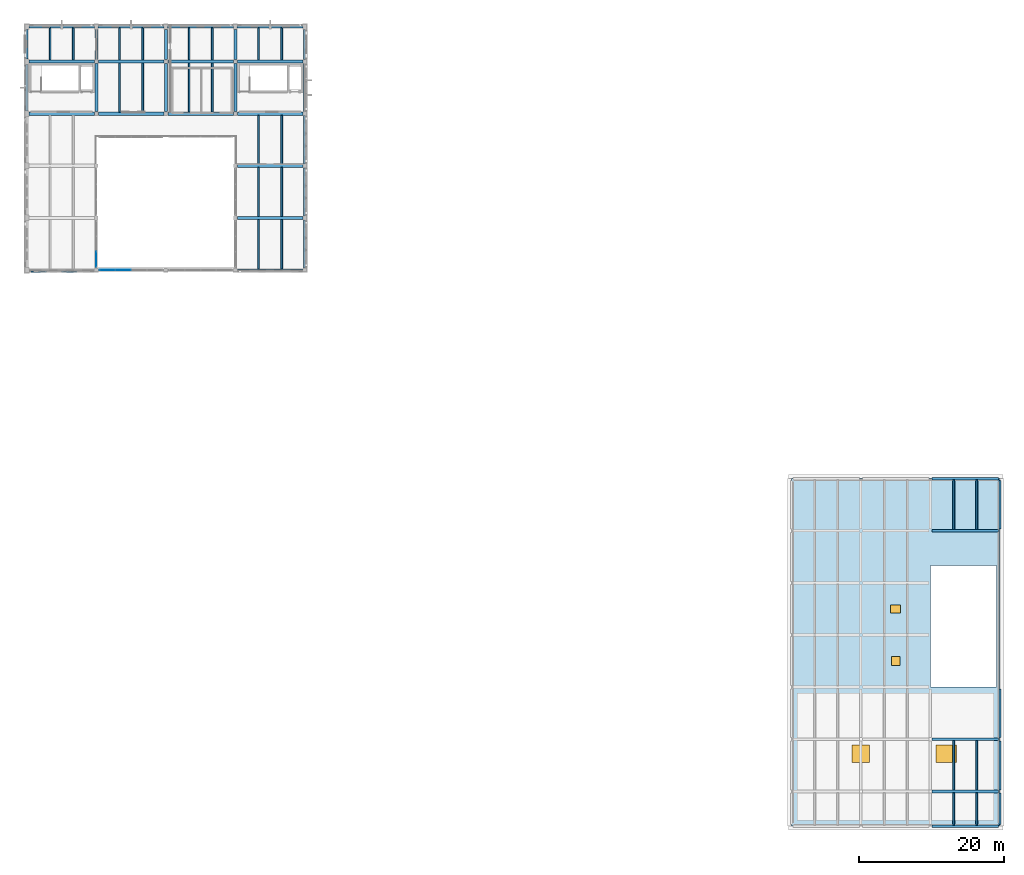
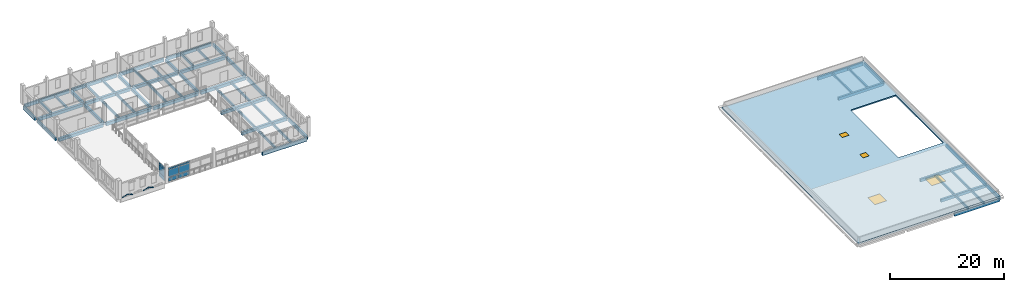
# One storey, part 12 of 24: 61 beams, 13 plates, 2 doors, 2 windows, 1 slab, 4 openings, 2 elements without a shape of their own.
"""IFC4 building model written with IfcOpenShell, lengths in metres."""

from ifc_helpers import new_model, si_unit, direction, frame, origin, origin_2d, place, context, subcontext, project, spatial, polyline, rectangle, hollow_rectangle, outline, extrude, material, layer, layer_set, material_profile, profile_set, type_object, element, fill, aggregate, save


model = new_model("IFC4")

# Units and contexts
model_context = context("Model", 3, precision=1e-05, world=origin(), true_north=direction((0.0, 1.0)))
body_context = subcontext(model_context, "Body", "Model", "MODEL_VIEW")
ifc_project = project(units=[si_unit("LENGTHUNIT", "METRE"), si_unit("AREAUNIT", "SQUARE_METRE"), si_unit("VOLUMEUNIT", "CUBIC_METRE"), si_unit("PLANEANGLEUNIT", "RADIAN"), si_unit("MASSUNIT", "GRAM", prefix="KILO")], contexts=[model_context])

# Site, building, storey
site_placement = place(None, origin())
site = spatial("IfcSite", under=ifc_project, at=site_placement, CompositionType="ELEMENT")
building_placement = place(site_placement, origin())
building = spatial("IfcBuilding", under=site, at=building_placement, Name="Asteropetra Specialist Clinic", CompositionType="ELEMENT")
storey_placement = place(building_placement, frame((0.0, 0.0, 20.739990234375)))
storey = spatial("IfcBuildingStorey", under=building, at=storey_placement, Name="L05", CompositionType="ELEMENT", Elevation=20.739990234375)

# Beams
ifc_material_1 = material(Name="Concrete C35/45", Category="concrete")
ifc_material_profile_1 = material_profile(ifc_material_1, rectangle(XDim=0.39990234375, YDim=0.60009765625, at=origin_2d()), Name="RCB 400x600")
ifc_profile_set_1 = profile_set([ifc_material_profile_1], Name="Concrete C35/45")
beam_type_1 = type_object("IfcBeamType", Name="BM-RC400x600", PredefinedType="BEAM", material=ifc_profile_set_1)
for number, where, z_axis, x_axis, name in (
    (1, (9.60009765625, 98.675048828125, -0.580078125), (0.0, 1.0, 0.0), (-1.0, 0.0, 0.0), "Beam BBM08-2020"),
    (2, (19.199951171875, 98.675048828125, -0.580078125), (0.0, 1.0, 0.0), (-1.0, 0.0, 0.0), "Beam BBM08-2021"),
    (3, (28.800048828125, 98.675048828125, -0.580078125), (0.0, 1.0, 0.0), (-1.0, 0.0, 0.0), "Beam BBM08-2022"),
):
    element("IfcBeam", number, at=place(storey_placement, frame(where, z_axis=z_axis, x_axis=x_axis)), inside=storey, type_object=beam_type_1, Name=name, PredefinedType="BEAM", context=body_context, shape_type="SweptSolid", body=[
        extrude(rectangle(XDim=0.39990234375, YDim=0.60009765625, at=origin_2d()), origin(), (0.0, 0.0, 1.0), 6.64990234375),
    ])
for number, where, z_axis, x_axis, name in (
    (4, (9.60009765625, 105.875, -0.580078125), (0.0, 1.0, 0.0), (-1.0, 0.0, 0.0), "Beam BBM08-2029"),
    (5, (19.199951171875, 105.875, -0.580078125), (0.0, 1.0, 0.0), (-1.0, 0.0, 0.0), "Beam BBM08-2030"),
    (6, (28.800048828125, 105.875, -0.580078125), (0.0, 1.0, 0.0), (-1.0, 0.0, 0.0), "Beam BBM08-2031"),
):
    element("IfcBeam", number, at=place(storey_placement, frame(where, z_axis=z_axis, x_axis=x_axis)), inside=storey, type_object=beam_type_1, Name=name, PredefinedType="BEAM", context=body_context, shape_type="SweptSolid", body=[
        extrude(rectangle(XDim=0.39990234375, YDim=0.60009765625, at=origin_2d()), origin(), (0.0, 0.0, 1.0), 4.175048828125),
    ])
for number, where, z_axis, x_axis, name in (
    (7, (125.02490234375, 4.800048828125, -0.570068359375), (1.0, 0.0, 0.0), (0.0, 1.0, 0.0), "Beam BBM08-2046"),
    (8, (125.02490234375, 12.0, -0.570068359375), (1.0, 0.0, 0.0), (0.0, 1.0, 0.0), "Beam BBM08-2049"),
    (9, (125.02490234375, 40.800048828125, -0.570068359375), (1.0, 0.0, 0.0), (0.0, 1.0, 0.0), "Beam BBM08-2058"),
):
    element("IfcBeam", number, at=place(storey_placement, frame(where, z_axis=z_axis, x_axis=x_axis)), inside=storey, type_object=beam_type_1, Name=name, PredefinedType="BEAM", context=body_context, shape_type="SweptSolid", body=[
        extrude(rectangle(XDim=0.39990234375, YDim=0.60009765625, at=origin_2d()), origin(), (0.0, 0.0, 1.0), 9.150146484375),
    ])
ifc_material_2 = material(Name="Concrete C35/45", Category="concrete")
ifc_material_profile_2 = material_profile(ifc_material_2, rectangle(XDim=0.449951171875, YDim=0.64990234375, at=origin_2d()), Name="RCB 450x650")
ifc_profile_set_2 = profile_set([ifc_material_profile_2], Name="Concrete C35/45")
beam_type_2 = type_object("IfcBeamType", Name="BM-RC450x650", PredefinedType="BEAM", material=ifc_profile_set_2)
for number, where, z_axis, x_axis, name in (
    (10, (29.074951171875, 84.0, -0.60498046875), (1.0, 0.0, 0.0), (0.0, 1.0, 0.0), "Beam BBM06-1986"),
    (11, (29.074951171875, 91.199951171875, -0.60498046875), (1.0, 0.0, 0.0), (0.0, 1.0, 0.0), "Beam BBM06-1988"),
    (12, (0.27490234375, 98.39990234375, -0.60498046875), (1.0, 0.0, 0.0), (0.0, 1.0, 0.0), "Beam BBM06-1989"),
    (13, (9.875, 98.39990234375, -0.60498046875), (1.0, 0.0, 0.0), (0.0, 1.0, 0.0), "Beam BBM06-1990"),
):
    element("IfcBeam", number, at=place(storey_placement, frame(where, z_axis=z_axis, x_axis=x_axis)), inside=storey, type_object=beam_type_2, Name=name, PredefinedType="BEAM", context=body_context, shape_type="SweptSolid", body=[
        extrude(rectangle(XDim=0.449951171875, YDim=0.64990234375, at=origin_2d()), origin(), (0.0, 0.0, 1.0), 9.050048828125),
    ])
beam_1_placement = place(storey_placement, frame((19.47509765625, 98.39990234375, -0.60498046875), z_axis=(1.0, 0.0, 0.0), x_axis=(0.0, 1.0, 0.0)))
element("IfcBeam", 14, at=beam_1_placement, inside=storey, type_object=beam_type_2, Name="Beam BBM06-1991", PredefinedType="BEAM", context=body_context, shape_type="SweptSolid", body=[
    extrude(rectangle(XDim=0.449951171875, YDim=0.64990234375, at=origin_2d()), origin(), (0.0, 0.0, 1.0), 9.0498046875),
])
for number, where, z_axis, x_axis, name in (
    (15, (29.074951171875, 98.39990234375, -0.60498046875), (1.0, 0.0, 0.0), (0.0, 1.0, 0.0), "Beam BBM06-1992"),
    (16, (0.27490234375, 105.60009765625, -0.60498046875), (1.0, 0.0, 0.0), (0.0, 1.0, 0.0), "Beam BBM06-1993"),
    (17, (9.875, 105.60009765625, -0.60498046875), (1.0, 0.0, 0.0), (0.0, 1.0, 0.0), "Beam BBM06-1994"),
):
    element("IfcBeam", number, at=place(storey_placement, frame(where, z_axis=z_axis, x_axis=x_axis)), inside=storey, type_object=beam_type_2, Name=name, PredefinedType="BEAM", context=body_context, shape_type="SweptSolid", body=[
        extrude(rectangle(XDim=0.449951171875, YDim=0.64990234375, at=origin_2d()), origin(), (0.0, 0.0, 1.0), 9.050048828125),
    ])
beam_2_placement = place(storey_placement, frame((19.47509765625, 105.60009765625, -0.60498046875), z_axis=(1.0, 0.0, 0.0), x_axis=(0.0, 1.0, 0.0)))
element("IfcBeam", 18, at=beam_2_placement, inside=storey, type_object=beam_type_2, Name="Beam BBM06-1995", PredefinedType="BEAM", context=body_context, shape_type="SweptSolid", body=[
    extrude(rectangle(XDim=0.449951171875, YDim=0.64990234375, at=origin_2d()), origin(), (0.0, 0.0, 1.0), 9.0498046875),
])
beam_3_placement = place(storey_placement, frame((29.074951171875, 105.60009765625, -0.60498046875), z_axis=(1.0, 0.0, 0.0), x_axis=(0.0, 1.0, 0.0)))
element("IfcBeam", 19, at=beam_3_placement, inside=storey, type_object=beam_type_2, Name="Beam BBM06-1996", PredefinedType="BEAM", context=body_context, shape_type="SweptSolid", body=[
    extrude(rectangle(XDim=0.449951171875, YDim=0.64990234375, at=origin_2d()), origin(), (0.0, 0.0, 1.0), 9.050048828125),
])
ifc_material_3 = material(Name="Concrete C35/45", Category="concrete")
ifc_material_profile_3 = material_profile(ifc_material_3, rectangle(XDim=0.260009765625, YDim=0.47998046875, at=origin_2d()), Name="RCJ 260x480")
ifc_profile_set_3 = profile_set([ifc_material_profile_3], Name="Concrete C35/45")
beam_type_3 = type_object("IfcBeamType", Name="JST-RC260x480", PredefinedType="JOIST", material=ifc_profile_set_3)
for number, where, z_axis, x_axis, name in (
    (20, (32.0, 76.9599609375, -0.52001953125), (0.0, 1.0, 0.0), (-1.0, 0.0, 0.0), "Joist JJST02-2005"),
    (21, (35.199951171875, 76.9599609375, -0.52001953125), (0.0, 1.0, 0.0), (-1.0, 0.0, 0.0), "Joist JJST02-2006"),
):
    element("IfcBeam", number, at=place(storey_placement, frame(where, z_axis=z_axis, x_axis=x_axis)), inside=storey, type_object=beam_type_3, Name=name, PredefinedType="JOIST", context=body_context, shape_type="SweptSolid", body=[
        extrude(rectangle(XDim=0.260009765625, YDim=0.47998046875, at=origin_2d()), origin(), (0.0, 0.0, 1.0), 6.81494140625),
    ])
for number, where, z_axis, x_axis, name in (
    (22, (32.0, 84.22509765625, -0.52001953125), (0.0, 1.0, 0.0), (-1.0, 0.0, 0.0), "Joist JJST02-2011"),
    (23, (35.199951171875, 84.22509765625, -0.52001953125), (0.0, 1.0, 0.0), (-1.0, 0.0, 0.0), "Joist JJST02-2012"),
    (24, (32.0, 91.425048828125, -0.52001953125), (0.0, 1.0, 0.0), (-1.0, 0.0, 0.0), "Joist JJST02-2017"),
    (25, (35.199951171875, 91.425048828125, -0.52001953125), (0.0, 1.0, 0.0), (-1.0, 0.0, 0.0), "Joist JJST02-2018"),
    (26, (12.800048828125, 98.625, -0.52001953125), (0.0, 1.0, 0.0), (-1.0, 0.0, 0.0), "Joist JJST02-2024"),
    (27, (16.0, 98.625, -0.52001953125), (0.0, 1.0, 0.0), (-1.0, 0.0, 0.0), "Joist JJST02-2025"),
    (28, (22.39990234375, 98.625, -0.52001953125), (0.0, 1.0, 0.0), (-1.0, 0.0, 0.0), "Joist JJST02-2026"),
    (29, (25.60009765625, 98.625, -0.52001953125), (0.0, 1.0, 0.0), (-1.0, 0.0, 0.0), "Joist JJST02-2027"),
):
    element("IfcBeam", number, at=place(storey_placement, frame(where, z_axis=z_axis, x_axis=x_axis)), inside=storey, type_object=beam_type_3, Name=name, PredefinedType="JOIST", context=body_context, shape_type="SweptSolid", body=[
        extrude(rectangle(XDim=0.260009765625, YDim=0.47998046875, at=origin_2d()), origin(), (0.0, 0.0, 1.0), 6.75),
    ])
for number, where, z_axis, x_axis, name in (
    (30, (3.199951171875, 105.824951171875, -0.52001953125), (0.0, 1.0, 0.0), (-1.0, 0.0, 0.0), "Joist JJST02-2033"),
    (31, (6.39990234375, 105.824951171875, -0.52001953125), (0.0, 1.0, 0.0), (-1.0, 0.0, 0.0), "Joist JJST02-2034"),
    (32, (12.800048828125, 105.824951171875, -0.52001953125), (0.0, 1.0, 0.0), (-1.0, 0.0, 0.0), "Joist JJST02-2035"),
    (33, (16.0, 105.824951171875, -0.52001953125), (0.0, 1.0, 0.0), (-1.0, 0.0, 0.0), "Joist JJST02-2036"),
    (34, (22.39990234375, 105.824951171875, -0.52001953125), (0.0, 1.0, 0.0), (-1.0, 0.0, 0.0), "Joist JJST02-2037"),
    (35, (25.60009765625, 105.824951171875, -0.52001953125), (0.0, 1.0, 0.0), (-1.0, 0.0, 0.0), "Joist JJST02-2038"),
    (36, (32.0, 105.824951171875, -0.52001953125), (0.0, 1.0, 0.0), (-1.0, 0.0, 0.0), "Joist JJST02-2039"),
    (37, (35.199951171875, 105.824951171875, -0.52001953125), (0.0, 1.0, 0.0), (-1.0, 0.0, 0.0), "Joist JJST02-2040"),
):
    element("IfcBeam", number, at=place(storey_placement, frame(where, z_axis=z_axis, x_axis=x_axis)), inside=storey, type_object=beam_type_3, Name=name, PredefinedType="JOIST", context=body_context, shape_type="SweptSolid", body=[
        extrude(rectangle(XDim=0.260009765625, YDim=0.47998046875, at=origin_2d()), origin(), (0.0, 0.0, 1.0), 4.4150390625),
    ])
for number, where, z_axis, x_axis, name in (
    (38, (128.0, 0.159912109375, -0.510009765625), (0.0, 1.0, 0.0), (-1.0, 0.0, 0.0), "Joist JJST02-2070"),
    (39, (131.199951171875, 0.159912109375, -0.510009765625), (0.0, 1.0, 0.0), (-1.0, 0.0, 0.0), "Joist JJST02-2071"),
):
    element("IfcBeam", number, at=place(storey_placement, frame(where, z_axis=z_axis, x_axis=x_axis)), inside=storey, type_object=beam_type_3, Name=name, PredefinedType="JOIST", context=body_context, shape_type="SweptSolid", body=[
        extrude(rectangle(XDim=0.260009765625, YDim=0.47998046875, at=origin_2d()), origin(), (0.0, 0.0, 1.0), 4.440185546875),
    ])
for number, where, z_axis, x_axis, name in (
    (40, (128.0, 5.0, -0.510009765625), (0.0, 1.0, 0.0), (-1.0, 0.0, 0.0), "Joist JJST02-2080"),
    (41, (131.199951171875, 5.0, -0.510009765625), (0.0, 1.0, 0.0), (-1.0, 0.0, 0.0), "Joist JJST02-2081"),
):
    element("IfcBeam", number, at=place(storey_placement, frame(where, z_axis=z_axis, x_axis=x_axis)), inside=storey, type_object=beam_type_3, Name=name, PredefinedType="JOIST", context=body_context, shape_type="SweptSolid", body=[
        extrude(rectangle(XDim=0.260009765625, YDim=0.47998046875, at=origin_2d()), origin(), (0.0, 0.0, 1.0), 6.800048828125),
    ])
for number, where, z_axis, x_axis, name in (
    (42, (128.0, 41.0, -0.510009765625), (0.0, 1.0, 0.0), (-1.0, 0.0, 0.0), "Joist JJST02-2116"),
    (43, (131.199951171875, 41.0, -0.510009765625), (0.0, 1.0, 0.0), (-1.0, 0.0, 0.0), "Joist JJST02-2117"),
):
    element("IfcBeam", number, at=place(storey_placement, frame(where, z_axis=z_axis, x_axis=x_axis)), inside=storey, type_object=beam_type_3, Name=name, PredefinedType="JOIST", context=body_context, shape_type="SweptSolid", body=[
        extrude(rectangle(XDim=0.260009765625, YDim=0.47998046875, at=origin_2d()), origin(), (0.0, 0.0, 1.0), 6.840087890625),
    ])
ifc_material_4 = material(Name="Concrete C35/45", Category="concrete")
ifc_material_profile_4 = material_profile(ifc_material_4, rectangle(XDim=0.320068359375, YDim=0.699951171875, at=origin_2d()), Name="RCS 320x700")
ifc_profile_set_4 = profile_set([ifc_material_profile_4], Name="Concrete C35/45")
beam_type_4 = type_object("IfcBeamType", Name="SPN-RC320x700", PredefinedType="SPANDREL", material=ifc_profile_set_4)
beam_4_placement = place(storey_placement, frame((29.074951171875, 76.800048828125, -0.6298828125), z_axis=(1.0, 0.0, 0.0), x_axis=(0.0, 1.0, 0.0)))
element("IfcBeam", 44, at=beam_4_placement, inside=storey, type_object=beam_type_4, Name="Beam BSPN02-1984", PredefinedType="SPANDREL", context=body_context, shape_type="SweptSolid", body=[
    extrude(rectangle(XDim=0.320068359375, YDim=0.699951171875, at=origin_2d()), origin(), (0.0, 0.0, 1.0), 9.050048828125),
])
beam_5_placement = place(storey_placement, frame((0.27490234375, 110.39990234375, -0.6298828125), z_axis=(1.0, 0.0, 0.0), x_axis=(0.0, 1.0, 0.0)))
element("IfcBeam", 45, at=beam_5_placement, inside=storey, type_object=beam_type_4, Name="Beam BSPN02-1997", PredefinedType="SPANDREL", context=body_context, shape_type="SweptSolid", body=[
    extrude(rectangle(XDim=0.320068359375, YDim=0.699951171875, at=origin_2d()), origin(), (0.0, 0.0, 1.0), 9.0751953125),
])
beam_6_placement = place(storey_placement, frame((9.85009765625, 110.39990234375, -0.6298828125), z_axis=(1.0, 0.0, 0.0), x_axis=(0.0, 1.0, 0.0)))
element("IfcBeam", 46, at=beam_6_placement, inside=storey, type_object=beam_type_4, Name="Beam BSPN02-1998", PredefinedType="SPANDREL", context=body_context, shape_type="SweptSolid", body=[
    extrude(rectangle(XDim=0.320068359375, YDim=0.699951171875, at=origin_2d()), origin(), (0.0, 0.0, 1.0), 9.099853515625),
])
beam_7_placement = place(storey_placement, frame((19.449951171875, 110.39990234375, -0.6298828125), z_axis=(1.0, 0.0, 0.0), x_axis=(0.0, 1.0, 0.0)))
element("IfcBeam", 47, at=beam_7_placement, inside=storey, type_object=beam_type_4, Name="Beam BSPN02-1999", PredefinedType="SPANDREL", context=body_context, shape_type="SweptSolid", body=[
    extrude(rectangle(XDim=0.320068359375, YDim=0.699951171875, at=origin_2d()), origin(), (0.0, 0.0, 1.0), 9.10009765625),
])
beam_8_placement = place(storey_placement, frame((29.050048828125, 110.39990234375, -0.6298828125), z_axis=(1.0, 0.0, 0.0), x_axis=(0.0, 1.0, 0.0)))
element("IfcBeam", 48, at=beam_8_placement, inside=storey, type_object=beam_type_4, Name="Beam BSPN02-2000", PredefinedType="SPANDREL", context=body_context, shape_type="SweptSolid", body=[
    extrude(rectangle(XDim=0.320068359375, YDim=0.699951171875, at=origin_2d()), origin(), (0.0, 0.0, 1.0), 9.099853515625),
])
for number, where, z_axis, x_axis, name in (
    (49, (38.39990234375, 77.074951171875, -0.6298828125), (0.0, 1.0, 0.0), (-1.0, 0.0, 0.0), "Beam BSPN02-2002"),
    (50, (38.39990234375, 84.27490234375, -0.6298828125), (0.0, 1.0, 0.0), (-1.0, 0.0, 0.0), "Beam BSPN02-2008"),
):
    element("IfcBeam", number, at=place(storey_placement, frame(where, z_axis=z_axis, x_axis=x_axis)), inside=storey, type_object=beam_type_4, Name=name, PredefinedType="SPANDREL", context=body_context, shape_type="SweptSolid", body=[
        extrude(rectangle(XDim=0.320068359375, YDim=0.699951171875, at=origin_2d()), origin(), (0.0, 0.0, 1.0), 6.650146484375),
    ])
beam_9_placement = place(storey_placement, frame((38.39990234375, 91.47509765625, -0.6298828125), z_axis=(0.0, 1.0, 0.0), x_axis=(-1.0, 0.0, 0.0)))
element("IfcBeam", 51, at=beam_9_placement, inside=storey, type_object=beam_type_4, Name="Beam BSPN02-2014", PredefinedType="SPANDREL", context=body_context, shape_type="SweptSolid", body=[
    extrude(rectangle(XDim=0.320068359375, YDim=0.699951171875, at=origin_2d()), origin(), (0.0, 0.0, 1.0), 6.64990234375),
])
beam_10_placement = place(storey_placement, frame((0.0, 98.77490234375, -0.6298828125), z_axis=(0.0, 1.0, 0.0), x_axis=(-1.0, 0.0, 0.0)))
element("IfcBeam", 52, at=beam_10_placement, inside=storey, type_object=beam_type_4, Name="Beam BSPN02-2019", PredefinedType="SPANDREL", context=body_context, shape_type="SweptSolid", body=[
    extrude(rectangle(XDim=0.320068359375, YDim=0.699951171875, at=origin_2d()), origin(), (0.0, 0.0, 1.0), 6.4501953125),
])
beam_11_placement = place(storey_placement, frame((38.39990234375, 98.675048828125, -0.6298828125), z_axis=(0.0, 1.0, 0.0), x_axis=(-1.0, 0.0, 0.0)))
element("IfcBeam", 53, at=beam_11_placement, inside=storey, type_object=beam_type_4, Name="Beam BSPN02-2023", PredefinedType="SPANDREL", context=body_context, shape_type="SweptSolid", body=[
    extrude(rectangle(XDim=0.320068359375, YDim=0.699951171875, at=origin_2d()), origin(), (0.0, 0.0, 1.0), 6.64990234375),
])
beam_12_placement = place(storey_placement, frame((0.0, 105.97509765625, -0.6298828125), z_axis=(0.0, 1.0, 0.0), x_axis=(-1.0, 0.0, 0.0)))
element("IfcBeam", 54, at=beam_12_placement, inside=storey, type_object=beam_type_4, Name="Beam BSPN02-2028", PredefinedType="SPANDREL", context=body_context, shape_type="SweptSolid", body=[
    extrude(rectangle(XDim=0.320068359375, YDim=0.699951171875, at=origin_2d()), origin(), (0.0, 0.0, 1.0), 4.0498046875),
])
beam_13_placement = place(storey_placement, frame((38.39990234375, 105.875, -0.6298828125), z_axis=(0.0, 1.0, 0.0), x_axis=(-1.0, 0.0, 0.0)))
element("IfcBeam", 55, at=beam_13_placement, inside=storey, type_object=beam_type_4, Name="Beam BSPN02-2032", PredefinedType="SPANDREL", context=body_context, shape_type="SweptSolid", body=[
    extrude(rectangle(XDim=0.320068359375, YDim=0.699951171875, at=origin_2d()), origin(), (0.0, 0.0, 1.0), 4.175048828125),
])
for number, where, z_axis, x_axis, name in (
    (56, (125.02490234375, 0.0, -0.619873046875), (1.0, 0.0, 0.0), (0.0, 1.0, 0.0), "Beam BSPN02-2043"),
    (57, (125.02490234375, 48.0, -0.619873046875), (1.0, 0.0, 0.0), (0.0, 1.0, 0.0), "Beam BSPN02-2061"),
):
    element("IfcBeam", number, at=place(storey_placement, frame(where, z_axis=z_axis, x_axis=x_axis)), inside=storey, type_object=beam_type_4, Name=name, PredefinedType="SPANDREL", context=body_context, shape_type="SweptSolid", body=[
        extrude(rectangle(XDim=0.320068359375, YDim=0.699951171875, at=origin_2d()), origin(), (0.0, 0.0, 1.0), 9.150146484375),
    ])
beam_14_placement = place(storey_placement, frame((134.39990234375, 0.22509765625, -0.619873046875), z_axis=(0.0, 1.0, 0.0), x_axis=(-1.0, 0.0, 0.0)))
element("IfcBeam", 58, at=beam_14_placement, inside=storey, type_object=beam_type_4, Name="Beam BSPN02-2065", PredefinedType="SPANDREL", context=body_context, shape_type="SweptSolid", body=[
    extrude(rectangle(XDim=0.320068359375, YDim=0.699951171875, at=origin_2d()), origin(), (0.0, 0.0, 1.0), 4.349853515625),
])
for number, where, z_axis, x_axis, name in (
    (59, (134.39990234375, 5.02490234375, -0.619873046875), (0.0, 1.0, 0.0), (-1.0, 0.0, 0.0), "Beam BSPN02-2075"),
    (60, (134.39990234375, 12.22509765625, -0.619873046875), (0.0, 1.0, 0.0), (-1.0, 0.0, 0.0), "Beam BSPN02-2085"),
    (61, (134.39990234375, 41.02490234375, -0.619873046875), (0.0, 1.0, 0.0), (-1.0, 0.0, 0.0), "Beam BSPN02-2111"),
):
    element("IfcBeam", number, at=place(storey_placement, frame(where, z_axis=z_axis, x_axis=x_axis)), inside=storey, type_object=beam_type_4, Name=name, PredefinedType="SPANDREL", context=body_context, shape_type="SweptSolid", body=[
        extrude(rectangle(XDim=0.320068359375, YDim=0.699951171875, at=origin_2d()), origin(), (0.0, 0.0, 1.0), 6.75),
    ])

# Plates
ifc_material_5 = material(Name="Chevron emerald aluminium 6063-T6", Category="aluminium")
ifc_material_profile_5 = material_profile(ifc_material_5, hollow_rectangle(XDim=0.139892578125, YDim=0.139892578125, WallThickness=0.008056640625, InnerFilletRadius=0.008056640625, OuterFilletRadius=0.01611328125, at=origin_2d()), Name="SHS 140x140x8.0")
ifc_profile_set_5 = profile_set([ifc_material_profile_5], Name="Chevron emerald aluminium 6063-T6")
plate_type_1 = type_object("IfcPlateType", Name="CHV-RIB-140", PredefinedType="SHEET", material=ifc_profile_set_5)
plate_1_placement = place(storey_placement, frame((0.614990234375, 76.593017578125, 0.080078125), z_axis=(0.952086993927, 0.0, 0.30582733036), x_axis=(0.0, 1.0, 0.0)))
element("IfcPlate", 62, at=plate_1_placement, inside=storey, type_object=plate_type_1, Name="Chevron Facade Screen Fin CVR-1647", PredefinedType="SHEET", context=body_context, shape_type="SweptSolid", body=[
    extrude(hollow_rectangle(XDim=0.139892578125, YDim=0.139892578125, WallThickness=0.008056640625, InnerFilletRadius=0.008056640625, OuterFilletRadius=0.01611328125, at=origin_2d()), origin(), (0.0, 0.0, 1.0), 1.08642578125),
])
plate_2_placement = place(storey_placement, frame((1.6494140625, 76.593017578125, 0.412353515625), z_axis=(0.952065970179, 0.0, -0.305892772761), x_axis=(0.0, 1.0, 0.0)))
element("IfcPlate", 63, at=plate_2_placement, inside=storey, type_object=plate_type_1, Name="Chevron Facade Screen Fin CVR-1648", PredefinedType="SHEET", context=body_context, shape_type="SweptSolid", body=[
    extrude(hollow_rectangle(XDim=0.139892578125, YDim=0.139892578125, WallThickness=0.008056640625, InnerFilletRadius=0.008056640625, OuterFilletRadius=0.01611328125, at=origin_2d()), origin(), (0.0, 0.0, 1.0), 1.086181640625),
])
for number, where, z_axis, x_axis, name in (
    (64, (4.83251953125, 76.593017578125, 0.080078125), (0.952086993927, 0.0, 0.30582733036), (0.0, 1.0, 0.0), "Chevron Facade Screen Fin CVR-1649"),
    (65, (5.866943359375, 76.593017578125, 0.412353515625), (0.952086993927, 0.0, -0.30582733036), (0.0, 1.0, 0.0), "Chevron Facade Screen Fin CVR-1650"),
):
    element("IfcPlate", number, at=place(storey_placement, frame(where, z_axis=z_axis, x_axis=x_axis)), inside=storey, type_object=plate_type_1, Name=name, PredefinedType="SHEET", context=body_context, shape_type="SweptSolid", body=[
        extrude(hollow_rectangle(XDim=0.139892578125, YDim=0.139892578125, WallThickness=0.008056640625, InnerFilletRadius=0.008056640625, OuterFilletRadius=0.01611328125, at=origin_2d()), origin(), (0.0, 0.0, 1.0), 1.08642578125),
    ])

# Curtain wall, plates
ifc_material_6 = material(Name="Aluminium and low-E glass", Category="aluminium")
ifc_layer_1 = layer(ifc_material_6, 0.14990234375)
ifc_layer_set_1 = layer_set([ifc_layer_1], Name="Aluminium and low-E glass")
curtain_wall_type_1 = type_object("IfcCurtainWallType", Name="CW-SYS-02", PredefinedType="USERDEFINED", material=ifc_layer_set_1)
curtain_wall_1_placement = place(storey_placement, origin())
curtain_wall_1 = element("IfcCurtainWall", 66, at=curtain_wall_1_placement, inside=storey, type_object=curtain_wall_type_1, Name="Curtain Wall CW-057", ObjectType="UNITISED CURTAIN WALL", PredefinedType="USERDEFINED")
ifc_material_7 = material(Name="Low-E acoustic double glazing", Category="glass")
ifc_layer_2 = layer(ifc_material_7, 0.031982421875)
ifc_layer_set_2 = layer_set([ifc_layer_2], Name="Low-E acoustic double glazing")
plate_type_2 = type_object("IfcPlateType", Name="CWP-GLZ-32", PredefinedType="CURTAIN_PANEL", material=ifc_layer_set_2)
plate_3_placement = place(storey_placement, frame((11.126220703125, 76.800048828125, 0.074951171875), z_axis=(0.0, 0.0, 1.0), x_axis=(1.0, 0.0, 0.0)))
plate_3 = element("IfcPlate", 67, at=plate_3_placement, type_object=plate_type_2, Name="CW-057 panel 1.1", PredefinedType="CURTAIN_PANEL", context=body_context, shape_type="SweptSolid", body=[
    extrude(rectangle(XDim=2.08251953125, YDim=0.031982421875, at=origin_2d()), origin(), (0.0, 0.0, 1.0), 0.78759765625),
])
plate_4_placement = place(storey_placement, frame((11.126220703125, 76.800048828125, 0.9375), z_axis=(0.0, 0.0, 1.0), x_axis=(1.0, 0.0, 0.0)))
plate_4 = element("IfcPlate", 68, at=plate_4_placement, type_object=plate_type_2, Name="CW-057 panel 1.2", PredefinedType="CURTAIN_PANEL", context=body_context, shape_type="SweptSolid", body=[
    extrude(rectangle(XDim=2.08251953125, YDim=0.031982421875, at=origin_2d()), origin(), (0.0, 0.0, 1.0), 1.60498046875),
])
plate_5_placement = place(storey_placement, frame((11.126220703125, 76.800048828125, 2.61767578125), z_axis=(0.0, 0.0, 1.0), x_axis=(1.0, 0.0, 0.0)))
plate_5 = element("IfcPlate", 69, at=plate_5_placement, type_object=plate_type_2, Name="CW-057 panel 1.3", PredefinedType="CURTAIN_PANEL", context=body_context, shape_type="SweptSolid", body=[
    extrude(rectangle(XDim=2.08251953125, YDim=0.031982421875, at=origin_2d()), origin(), (0.0, 0.0, 1.0), 0.387451171875),
])
plate_6_placement = place(storey_placement, frame((13.302490234375, 76.800048828125, 0.074951171875), z_axis=(0.0, 0.0, 1.0), x_axis=(1.0, 0.0, 0.0)))
plate_6 = element("IfcPlate", 70, at=plate_6_placement, type_object=plate_type_2, Name="CW-057 panel 2.1", PredefinedType="CURTAIN_PANEL", context=body_context, shape_type="SweptSolid", body=[
    extrude(rectangle(XDim=2.1201171875, YDim=0.031982421875, at=origin_2d()), origin(), (0.0, 0.0, 1.0), 0.78759765625),
])
plate_7_placement = place(storey_placement, frame((13.302490234375, 76.800048828125, 0.9375), z_axis=(0.0, 0.0, 1.0), x_axis=(1.0, 0.0, 0.0)))
plate_7 = element("IfcPlate", 71, at=plate_7_placement, type_object=plate_type_2, Name="CW-057 panel 2.2", PredefinedType="CURTAIN_PANEL", context=body_context, shape_type="SweptSolid", body=[
    extrude(rectangle(XDim=2.1201171875, YDim=0.031982421875, at=origin_2d()), origin(), (0.0, 0.0, 1.0), 1.60498046875),
])
plate_8_placement = place(storey_placement, frame((13.302490234375, 76.800048828125, 2.61767578125), z_axis=(0.0, 0.0, 1.0), x_axis=(1.0, 0.0, 0.0)))
plate_8 = element("IfcPlate", 72, at=plate_8_placement, type_object=plate_type_2, Name="CW-057 panel 2.3", PredefinedType="CURTAIN_PANEL", context=body_context, shape_type="SweptSolid", body=[
    extrude(rectangle(XDim=2.1201171875, YDim=0.031982421875, at=origin_2d()), origin(), (0.0, 0.0, 1.0), 0.387451171875),
])
aggregate(curtain_wall_1, [plate_3, plate_4, plate_5, plate_6, plate_7, plate_8])

ifc_material_8 = material(Name="Aluminium and low-E glass", Category="aluminium")
ifc_layer_3 = layer(ifc_material_8, 0.179931640625)
ifc_layer_set_3 = layer_set([ifc_layer_3], Name="Aluminium and low-E glass")
curtain_wall_type_2 = type_object("IfcCurtainWallType", Name="CW-SYS-04", PredefinedType="USERDEFINED", material=ifc_layer_set_3)
curtain_wall_2_placement = place(storey_placement, origin())
curtain_wall_2 = element("IfcCurtainWall", 73, at=curtain_wall_2_placement, inside=storey, type_object=curtain_wall_type_2, Name="Curtain Wall CW-061", ObjectType="UNITISED CURTAIN WALL", PredefinedType="USERDEFINED")
plate_9_placement = place(storey_placement, frame((9.60009765625, 78.28955078125, 0.06494140625), z_axis=(0.0, 0.0, 1.0), x_axis=(0.0, -1.0, 0.0)))
plate_9 = element("IfcPlate", 74, at=plate_9_placement, type_object=plate_type_2, Name="CW-061 panel 3.1", PredefinedType="CURTAIN_PANEL", context=body_context, shape_type="SweptSolid", body=[
    extrude(rectangle(XDim=2.029052734375, YDim=0.031982421875, at=origin_2d()), origin(), (0.0, 0.0, 1.0), 0.802490234375),
])
plate_10_placement = place(storey_placement, frame((9.60009765625, 78.28955078125, 0.9326171875), z_axis=(0.0, 0.0, 1.0), x_axis=(0.0, -1.0, 0.0)))
plate_10 = element("IfcPlate", 75, at=plate_10_placement, type_object=plate_type_2, Name="CW-061 panel 3.2", PredefinedType="CURTAIN_PANEL", context=body_context, shape_type="SweptSolid", body=[
    extrude(rectangle(XDim=2.029052734375, YDim=0.031982421875, at=origin_2d()), origin(), (0.0, 0.0, 1.0), 1.614990234375),
])
plate_11_placement = place(storey_placement, frame((9.60009765625, 78.28955078125, 2.6123046875), z_axis=(0.0, 0.0, 1.0), x_axis=(0.0, -1.0, 0.0)))
plate_11 = element("IfcPlate", 76, at=plate_11_placement, type_object=plate_type_2, Name="CW-061 panel 3.3", PredefinedType="CURTAIN_PANEL", context=body_context, shape_type="SweptSolid", body=[
    extrude(rectangle(XDim=2.029052734375, YDim=0.031982421875, at=origin_2d()), origin(), (0.0, 0.0, 1.0), 0.402587890625),
])
aggregate(curtain_wall_2, [plate_9, plate_10, plate_11])

# Slab, openings, doors, windows
ifc_material_9 = material(Name="Concrete C35/45", Category="concrete")
ifc_layer_4 = layer(ifc_material_9, 0.27001953125)
ifc_layer_set_4 = layer_set([ifc_layer_4], Name="Concrete C35/45")
slab_type = type_object("IfcSlabType", Name="SLB-ROOF-270", PredefinedType="ROOF", material=ifc_layer_set_4)
slab_placement = place(storey_placement, frame((0.0, 0.0, -0.27001953125)))
slab = element("IfcSlab", 77, at=slab_placement, inside=storey, type_object=slab_type, Name="Slab V6-ROOF L05", PredefinedType="ROOF", context=body_context, shape_type="SweptSolid", body=[
    extrude(outline(polyline([(105.60009765625, 0.0), (134.39990234375, 0.0), (134.39990234375, 48.0), (105.60009765625, 48.0), (105.60009765625, 0.0)]), holes=[polyline([(124.800048828125, 19.199951171875), (133.949951171875, 19.199951171875), (133.949951171875, 36.0), (124.800048828125, 36.0), (124.800048828125, 19.199951171875)])]), origin(), (0.0, 0.0, 1.0), 0.27001953125),
])
opening_1_placement = place(slab_placement, frame((115.199951171875, 10.0, 0.0)))
opening_1 = element("IfcOpeningElement", 78, at=opening_1_placement, cuts=slab, Name="Opening SKYL-05", PredefinedType="OPENING", context=body_context, shape_type="SweptSolid", body=[
    extrude(rectangle(XDim=2.39990234375, YDim=2.39990234375, at=origin_2d()), origin(), (0.0, 0.0, 1.0), 0.27001953125),
])
opening_2_placement = place(slab_placement, frame((127.0, 10.0, 0.0)))
opening_2 = element("IfcOpeningElement", 79, at=opening_2_placement, cuts=slab, Name="Opening SKYL-06", PredefinedType="OPENING", context=body_context, shape_type="SweptSolid", body=[
    extrude(rectangle(XDim=2.800048828125, YDim=2.39990234375, at=origin_2d()), origin(), (0.0, 0.0, 1.0), 0.27001953125),
])
opening_3_placement = place(slab_placement, frame((120.0, 22.800048828125, 0.0)))
opening_3 = element("IfcOpeningElement", 80, at=opening_3_placement, cuts=slab, Name="Opening RHAT-05", PredefinedType="OPENING", context=body_context, shape_type="SweptSolid", body=[
    extrude(rectangle(XDim=1.199951171875, YDim=1.199951171875, at=origin_2d()), origin(), (0.0, 0.0, 1.0), 0.27001953125),
])
opening_4_placement = place(slab_placement, frame((120.0, 30.0, 0.0)))
opening_4 = element("IfcOpeningElement", 81, at=opening_4_placement, cuts=slab, Name="Opening RHAT-06", PredefinedType="OPENING", context=body_context, shape_type="SweptSolid", body=[
    extrude(rectangle(XDim=1.39990234375, YDim=1.10009765625, at=origin_2d()), origin(), (0.0, 0.0, 1.0), 0.27001953125),
])
ifc_material_10 = material(Name="Insulated aluminium roof hatch", Category="aluminium")
door_type_1 = type_object("IfcDoorType", Name="HTH-ROOF-1200", OperationType="SINGLE_SWING_LEFT", PredefinedType="TRAPDOOR", material=ifc_material_10)
door_1_placement = place(opening_3_placement, frame((0.0, 0.0, 0.219970703125)))
door_1 = element("IfcDoor", 82, at=door_1_placement, inside=storey, type_object=door_type_1, Name="Roof Opening RHAT-05", OperationType="SINGLE_SWING_LEFT", OverallHeight=1.199951171875, OverallWidth=1.199951171875, PredefinedType="TRAPDOOR", context=body_context, shape_type="SweptSolid", body=[
    extrude(rectangle(XDim=1.199951171875, YDim=1.199951171875, at=origin_2d()), origin(), (0.0, 0.0, 1.0), 0.050048828125),
])
fill(opening_3, door_1)
ifc_material_11 = material(Name="Insulated aluminium roof hatch", Category="aluminium")
door_type_2 = type_object("IfcDoorType", Name="HTH-ROOF-1400", OperationType="SINGLE_SWING_LEFT", PredefinedType="TRAPDOOR", material=ifc_material_11)
door_2_placement = place(opening_4_placement, frame((0.0, 0.0, 0.219970703125)))
door_2 = element("IfcDoor", 83, at=door_2_placement, inside=storey, type_object=door_type_2, Name="Roof Opening RHAT-06", OperationType="SINGLE_SWING_LEFT", OverallHeight=1.10009765625, OverallWidth=1.39990234375, PredefinedType="TRAPDOOR", context=body_context, shape_type="SweptSolid", body=[
    extrude(rectangle(XDim=1.39990234375, YDim=1.10009765625, at=origin_2d()), origin(), (0.0, 0.0, 1.0), 0.050048828125),
])
fill(opening_4, door_2)
ifc_material_12 = material(Name="Laminated low-E skylight glass", Category="glass")
window_type_1 = type_object("IfcWindowType", Name="SKY-T01", PartitioningType="SINGLE_PANEL", PredefinedType="SKYLIGHT", material=ifc_material_12)
window_1_placement = place(opening_1_placement, frame((0.0, 0.0, 0.219970703125)))
window_1 = element("IfcWindow", 84, at=window_1_placement, inside=storey, type_object=window_type_1, Name="Roof Opening SKYL-05", OverallHeight=2.39990234375, OverallWidth=2.39990234375, PartitioningType="SINGLE_PANEL", PredefinedType="SKYLIGHT", context=body_context, shape_type="SweptSolid", body=[
    extrude(rectangle(XDim=2.39990234375, YDim=2.39990234375, at=origin_2d()), origin(), (0.0, 0.0, 1.0), 0.050048828125),
])
fill(opening_1, window_1)
ifc_material_13 = material(Name="Laminated low-E skylight glass", Category="glass")
window_type_2 = type_object("IfcWindowType", Name="SKY-T02", PartitioningType="SINGLE_PANEL", PredefinedType="SKYLIGHT", material=ifc_material_13)
window_2_placement = place(opening_2_placement, frame((0.0, 0.0, 0.219970703125)))
window_2 = element("IfcWindow", 85, at=window_2_placement, inside=storey, type_object=window_type_2, Name="Roof Opening SKYL-06", OverallHeight=2.39990234375, OverallWidth=2.800048828125, PartitioningType="SINGLE_PANEL", PredefinedType="SKYLIGHT", context=body_context, shape_type="SweptSolid", body=[
    extrude(rectangle(XDim=2.800048828125, YDim=2.39990234375, at=origin_2d()), origin(), (0.0, 0.0, 1.0), 0.050048828125),
])
fill(opening_2, window_2)

save(model, "model.ifc")
